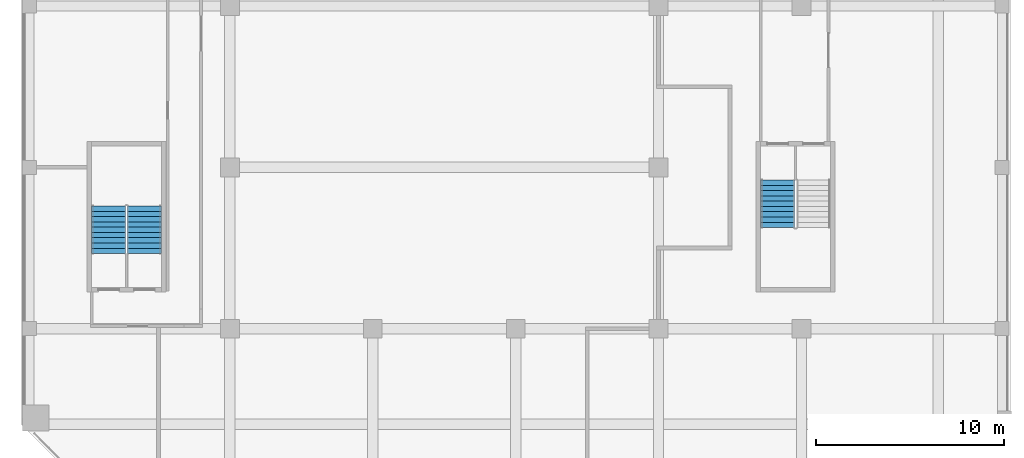
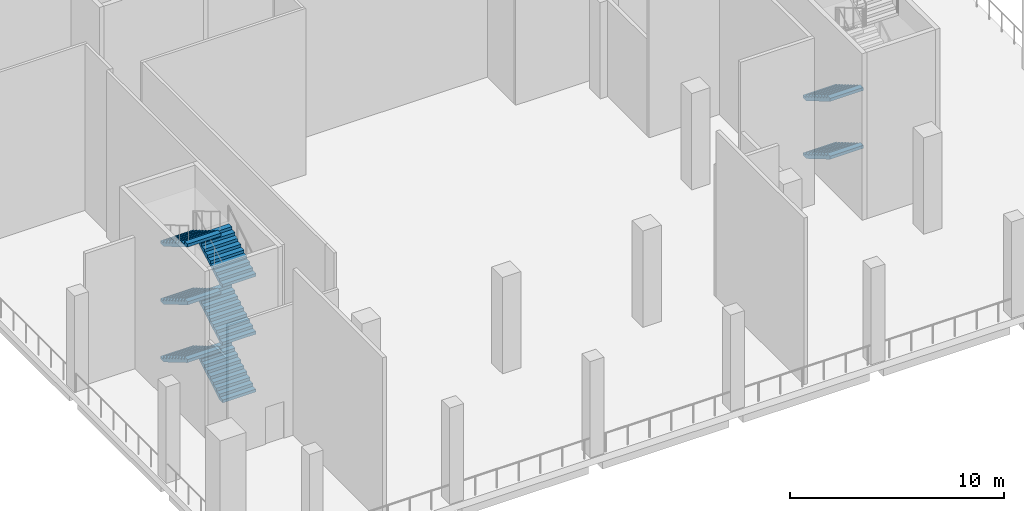
# One storey, part 6 of 12: 8 stair flights, 2 elements without a shape of their own.
"""IFC4 building model written with IfcOpenShell, lengths in metres."""

from ifc_helpers import new_model, si_unit, direction, frame, origin, place, context, subcontext, project, spatial, triangles, source, transform, mapped, material, type_object, element, aggregate, save


model = new_model("IFC4")

# Units and contexts
model_context = context("Model", 3, precision=1e-05, world=origin(), true_north=direction((0.0, 1.0)))
body_context = subcontext(model_context, "Body", "Model", "MODEL_VIEW")
ifc_project = project(units=[si_unit("LENGTHUNIT", "METRE"), si_unit("AREAUNIT", "SQUARE_METRE"), si_unit("VOLUMEUNIT", "CUBIC_METRE"), si_unit("PLANEANGLEUNIT", "RADIAN"), si_unit("MASSUNIT", "GRAM", prefix="KILO")], contexts=[model_context])

# Site, building, storey
site_placement = place(None, origin())
site = spatial("IfcSite", under=ifc_project, at=site_placement, CompositionType="ELEMENT")
building_placement = place(site_placement, origin())
building = spatial("IfcBuilding", under=site, at=building_placement, Name="Kilnfold Tower and Market Hall", CompositionType="ELEMENT")
storey_placement = place(building_placement, frame((0.0, 0.0, 223.699951171875)))
storey = spatial("IfcBuildingStorey", under=building, at=storey_placement, Name="L55 Refuge Wind Floor", CompositionType="ELEMENT", Elevation=223.699951171875)

# Stair, stair flights
ifc_material_1 = material(Name="Concrete C40/50", Category="concrete")
stair_type = type_object("IfcStairType", Name="CORE STAIR 1800", PredefinedType="HALF_TURN_STAIR", material=ifc_material_1)
stair_1_placement = place(storey_placement, origin())
stair_1 = element("IfcStair", 1, at=stair_1_placement, inside=storey, type_object=stair_type, Name="L55 Refuge Wind Floor ST3", PredefinedType="HALF_TURN_STAIR")
ifc_material_2 = material(Name="Concrete C40/50", Category="concrete")
stair_flight_type = type_object("IfcStairFlightType", Name="CORE STAIR FLIGHT 1800", PredefinedType="STRAIGHT", material=ifc_material_2)
shared_shape = source(origin(), body_context, "Body", "Tessellation", [
    triangles([(0.0, 0.89990234375, 0.0), (0.0, 0.78759765625, 0.0), (0.0, 0.675048828125, 0.0), (0.0, 0.5625, 0.0), (0.0, 0.449951171875, 0.0), (0.0, 0.33740234375, 0.0), (0.0, 0.22509765625, 0.0), (0.0, 0.112548828125, 0.0), (0.0, 0.0, 0.0), (0.0, -0.112548828125, 0.0), (0.0, -0.22509765625, 0.0), (0.0, -0.33740234375, 0.0), (0.0, -0.449951171875, 0.0), (0.0, -0.5625, 0.0), (0.0, -0.675048828125, 0.0), (0.0, -0.78759765625, 0.0), (0.0, -0.89990234375, 0.0), (0.0, 0.89990234375, 0.1650390625), (0.0, 0.78759765625, 0.1650390625), (0.0, 0.675048828125, 0.1650390625), (0.0, 0.5625, 0.1650390625), (0.0, 0.449951171875, 0.1650390625), (0.0, 0.33740234375, 0.1650390625), (0.0, 0.22509765625, 0.1650390625), (0.0, 0.112548828125, 0.1650390625), (0.0, 0.0, 0.1650390625), (0.0, -0.112548828125, 0.1650390625), (0.0, -0.22509765625, 0.1650390625), (0.0, -0.33740234375, 0.1650390625), (0.0, -0.449951171875, 0.1650390625), (0.0, -0.5625, 0.1650390625), (0.0, -0.675048828125, 0.1650390625), (0.0, -0.78759765625, 0.1650390625), (0.0, -0.89990234375, 0.1650390625), (0.280029296875, 0.89990234375, 0.1650390625), (0.280029296875, 0.78759765625, 0.1650390625), (0.280029296875, 0.675048828125, 0.1650390625), (0.280029296875, 0.5625, 0.1650390625), (0.280029296875, 0.449951171875, 0.1650390625), (0.280029296875, 0.33740234375, 0.1650390625), (0.280029296875, 0.22509765625, 0.1650390625), (0.280029296875, 0.112548828125, 0.1650390625), (0.280029296875, 0.0, 0.1650390625), (0.280029296875, -0.112548828125, 0.1650390625), (0.280029296875, -0.22509765625, 0.1650390625), (0.280029296875, -0.33740234375, 0.1650390625), (0.280029296875, -0.449951171875, 0.1650390625), (0.280029296875, -0.5625, 0.1650390625), (0.280029296875, -0.675048828125, 0.1650390625), (0.280029296875, -0.78759765625, 0.1650390625), (0.280029296875, -0.89990234375, 0.1650390625), (0.280029296875, 0.89990234375, 0.330078125), (0.280029296875, 0.78759765625, 0.330078125), (0.280029296875, 0.675048828125, 0.330078125), (0.280029296875, 0.5625, 0.330078125), (0.280029296875, 0.449951171875, 0.330078125), (0.280029296875, 0.33740234375, 0.330078125), (0.280029296875, 0.22509765625, 0.330078125), (0.280029296875, 0.112548828125, 0.330078125), (0.280029296875, 0.0, 0.330078125), (0.280029296875, -0.112548828125, 0.330078125), (0.280029296875, -0.22509765625, 0.330078125), (0.280029296875, -0.33740234375, 0.330078125), (0.280029296875, -0.449951171875, 0.330078125), (0.280029296875, -0.5625, 0.330078125), (0.280029296875, -0.675048828125, 0.330078125), (0.280029296875, -0.78759765625, 0.330078125), (0.280029296875, -0.89990234375, 0.330078125), (0.56005859375, 0.89990234375, 0.330078125), (0.56005859375, 0.78759765625, 0.330078125), (0.56005859375, 0.675048828125, 0.330078125), (0.56005859375, 0.5625, 0.330078125), (0.56005859375, 0.449951171875, 0.330078125), (0.56005859375, 0.33740234375, 0.330078125), (0.56005859375, 0.22509765625, 0.330078125), (0.56005859375, 0.112548828125, 0.330078125), (0.56005859375, 0.0, 0.330078125), (0.56005859375, -0.112548828125, 0.330078125), (0.56005859375, -0.22509765625, 0.330078125), (0.56005859375, -0.33740234375, 0.330078125), (0.56005859375, -0.449951171875, 0.330078125), (0.56005859375, -0.5625, 0.330078125), (0.56005859375, -0.675048828125, 0.330078125), (0.56005859375, -0.78759765625, 0.330078125), (0.56005859375, -0.89990234375, 0.330078125), (0.56005859375, 0.89990234375, 0.4951171875), (0.56005859375, 0.78759765625, 0.4951171875), (0.56005859375, 0.675048828125, 0.4951171875), (0.56005859375, 0.5625, 0.4951171875), (0.56005859375, 0.449951171875, 0.4951171875), (0.56005859375, 0.33740234375, 0.4951171875), (0.56005859375, 0.22509765625, 0.4951171875), (0.56005859375, 0.112548828125, 0.4951171875), (0.56005859375, 0.0, 0.4951171875), (0.56005859375, -0.112548828125, 0.4951171875), (0.56005859375, -0.22509765625, 0.4951171875), (0.56005859375, -0.33740234375, 0.4951171875), (0.56005859375, -0.449951171875, 0.4951171875), (0.56005859375, -0.5625, 0.4951171875), (0.56005859375, -0.675048828125, 0.4951171875), (0.56005859375, -0.78759765625, 0.4951171875), (0.56005859375, -0.89990234375, 0.4951171875), (0.840087890625, 0.89990234375, 0.4951171875), (0.840087890625, 0.78759765625, 0.4951171875), (0.840087890625, 0.675048828125, 0.4951171875), (0.840087890625, 0.5625, 0.4951171875), (0.840087890625, 0.449951171875, 0.4951171875), (0.840087890625, 0.33740234375, 0.4951171875), (0.840087890625, 0.22509765625, 0.4951171875), (0.840087890625, 0.112548828125, 0.4951171875), (0.840087890625, 0.0, 0.4951171875), (0.840087890625, -0.112548828125, 0.4951171875), (0.840087890625, -0.22509765625, 0.4951171875), (0.840087890625, -0.33740234375, 0.4951171875), (0.840087890625, -0.449951171875, 0.4951171875), (0.840087890625, -0.5625, 0.4951171875), (0.840087890625, -0.675048828125, 0.4951171875), (0.840087890625, -0.78759765625, 0.4951171875), (0.840087890625, -0.89990234375, 0.4951171875), (0.840087890625, 0.89990234375, 0.659912109375), (0.840087890625, 0.78759765625, 0.659912109375), (0.840087890625, 0.675048828125, 0.659912109375), (0.840087890625, 0.5625, 0.659912109375), (0.840087890625, 0.449951171875, 0.659912109375), (0.840087890625, 0.33740234375, 0.659912109375), (0.840087890625, 0.22509765625, 0.659912109375), (0.840087890625, 0.112548828125, 0.659912109375), (0.840087890625, 0.0, 0.659912109375), (0.840087890625, -0.112548828125, 0.659912109375), (0.840087890625, -0.22509765625, 0.659912109375), (0.840087890625, -0.33740234375, 0.659912109375), (0.840087890625, -0.449951171875, 0.659912109375), (0.840087890625, -0.5625, 0.659912109375), (0.840087890625, -0.675048828125, 0.659912109375), (0.840087890625, -0.78759765625, 0.659912109375), (0.840087890625, -0.89990234375, 0.659912109375), (1.1201171875, 0.89990234375, 0.659912109375), (1.1201171875, 0.78759765625, 0.659912109375), (1.1201171875, 0.675048828125, 0.659912109375), (1.1201171875, 0.5625, 0.659912109375), (1.1201171875, 0.449951171875, 0.659912109375), (1.1201171875, 0.33740234375, 0.659912109375), (1.1201171875, 0.22509765625, 0.659912109375), (1.1201171875, 0.112548828125, 0.659912109375), (1.1201171875, 0.0, 0.659912109375), (1.1201171875, -0.112548828125, 0.659912109375), (1.1201171875, -0.22509765625, 0.659912109375), (1.1201171875, -0.33740234375, 0.659912109375), (1.1201171875, -0.449951171875, 0.659912109375), (1.1201171875, -0.5625, 0.659912109375), (1.1201171875, -0.675048828125, 0.659912109375), (1.1201171875, -0.78759765625, 0.659912109375), (1.1201171875, -0.89990234375, 0.659912109375), (1.1201171875, 0.89990234375, 0.824951171875), (1.1201171875, 0.78759765625, 0.824951171875), (1.1201171875, 0.675048828125, 0.824951171875), (1.1201171875, 0.5625, 0.824951171875), (1.1201171875, 0.449951171875, 0.824951171875), (1.1201171875, 0.33740234375, 0.824951171875), (1.1201171875, 0.22509765625, 0.824951171875), (1.1201171875, 0.112548828125, 0.824951171875), (1.1201171875, 0.0, 0.824951171875), (1.1201171875, -0.112548828125, 0.824951171875), (1.1201171875, -0.22509765625, 0.824951171875), (1.1201171875, -0.33740234375, 0.824951171875), (1.1201171875, -0.449951171875, 0.824951171875), (1.1201171875, -0.5625, 0.824951171875), (1.1201171875, -0.675048828125, 0.824951171875), (1.1201171875, -0.78759765625, 0.824951171875), (1.1201171875, -0.89990234375, 0.824951171875), (1.39990234375, 0.89990234375, 0.824951171875), (1.39990234375, 0.78759765625, 0.824951171875), (1.39990234375, 0.675048828125, 0.824951171875), (1.39990234375, 0.5625, 0.824951171875), (1.39990234375, 0.449951171875, 0.824951171875), (1.39990234375, 0.33740234375, 0.824951171875), (1.39990234375, 0.22509765625, 0.824951171875), (1.39990234375, 0.112548828125, 0.824951171875), (1.39990234375, 0.0, 0.824951171875), (1.39990234375, -0.112548828125, 0.824951171875), (1.39990234375, -0.22509765625, 0.824951171875), (1.39990234375, -0.33740234375, 0.824951171875), (1.39990234375, -0.449951171875, 0.824951171875), (1.39990234375, -0.5625, 0.824951171875), (1.39990234375, -0.675048828125, 0.824951171875), (1.39990234375, -0.78759765625, 0.824951171875), (1.39990234375, -0.89990234375, 0.824951171875), (1.39990234375, 0.89990234375, 0.989990234375), (1.39990234375, 0.78759765625, 0.989990234375), (1.39990234375, 0.675048828125, 0.989990234375), (1.39990234375, 0.5625, 0.989990234375), (1.39990234375, 0.449951171875, 0.989990234375), (1.39990234375, 0.33740234375, 0.989990234375), (1.39990234375, 0.22509765625, 0.989990234375), (1.39990234375, 0.112548828125, 0.989990234375), (1.39990234375, 0.0, 0.989990234375), (1.39990234375, -0.112548828125, 0.989990234375), (1.39990234375, -0.22509765625, 0.989990234375), (1.39990234375, -0.33740234375, 0.989990234375), (1.39990234375, -0.449951171875, 0.989990234375), (1.39990234375, -0.5625, 0.989990234375), (1.39990234375, -0.675048828125, 0.989990234375), (1.39990234375, -0.78759765625, 0.989990234375), (1.39990234375, -0.89990234375, 0.989990234375), (1.679931640625, 0.89990234375, 0.989990234375), (1.679931640625, 0.78759765625, 0.989990234375), (1.679931640625, 0.675048828125, 0.989990234375), (1.679931640625, 0.5625, 0.989990234375), (1.679931640625, 0.449951171875, 0.989990234375), (1.679931640625, 0.33740234375, 0.989990234375), (1.679931640625, 0.22509765625, 0.989990234375), (1.679931640625, 0.112548828125, 0.989990234375), (1.679931640625, 0.0, 0.989990234375), (1.679931640625, -0.112548828125, 0.989990234375), (1.679931640625, -0.22509765625, 0.989990234375), (1.679931640625, -0.33740234375, 0.989990234375), (1.679931640625, -0.449951171875, 0.989990234375), (1.679931640625, -0.5625, 0.989990234375), (1.679931640625, -0.675048828125, 0.989990234375), (1.679931640625, -0.78759765625, 0.989990234375), (1.679931640625, -0.89990234375, 0.989990234375), (1.679931640625, 0.89990234375, 1.155029296875), (1.679931640625, 0.78759765625, 1.155029296875), (1.679931640625, 0.675048828125, 1.155029296875), (1.679931640625, 0.5625, 1.155029296875), (1.679931640625, 0.449951171875, 1.155029296875), (1.679931640625, 0.33740234375, 1.155029296875), (1.679931640625, 0.22509765625, 1.155029296875), (1.679931640625, 0.112548828125, 1.155029296875), (1.679931640625, 0.0, 1.155029296875), (1.679931640625, -0.112548828125, 1.155029296875), (1.679931640625, -0.22509765625, 1.155029296875), (1.679931640625, -0.33740234375, 1.155029296875), (1.679931640625, -0.449951171875, 1.155029296875), (1.679931640625, -0.5625, 1.155029296875), (1.679931640625, -0.675048828125, 1.155029296875), (1.679931640625, -0.78759765625, 1.155029296875), (1.679931640625, -0.89990234375, 1.155029296875), (1.9599609375, 0.89990234375, 1.155029296875), (1.9599609375, 0.78759765625, 1.155029296875), (1.9599609375, 0.675048828125, 1.155029296875), (1.9599609375, 0.5625, 1.155029296875), (1.9599609375, 0.449951171875, 1.155029296875), (1.9599609375, 0.33740234375, 1.155029296875), (1.9599609375, 0.22509765625, 1.155029296875), (1.9599609375, 0.112548828125, 1.155029296875), (1.9599609375, 0.0, 1.155029296875), (1.9599609375, -0.112548828125, 1.155029296875), (1.9599609375, -0.22509765625, 1.155029296875), (1.9599609375, -0.33740234375, 1.155029296875), (1.9599609375, -0.449951171875, 1.155029296875), (1.9599609375, -0.5625, 1.155029296875), (1.9599609375, -0.675048828125, 1.155029296875), (1.9599609375, -0.78759765625, 1.155029296875), (1.9599609375, -0.89990234375, 1.155029296875), (1.9599609375, 0.89990234375, 1.320068359375), (1.9599609375, 0.78759765625, 1.320068359375), (1.9599609375, 0.675048828125, 1.320068359375), (1.9599609375, 0.5625, 1.320068359375), (1.9599609375, 0.449951171875, 1.320068359375), (1.9599609375, 0.33740234375, 1.320068359375), (1.9599609375, 0.22509765625, 1.320068359375), (1.9599609375, 0.112548828125, 1.320068359375), (1.9599609375, 0.0, 1.320068359375), (1.9599609375, -0.112548828125, 1.320068359375), (1.9599609375, -0.22509765625, 1.320068359375), (1.9599609375, -0.33740234375, 1.320068359375), (1.9599609375, -0.449951171875, 1.320068359375), (1.9599609375, -0.5625, 1.320068359375), (1.9599609375, -0.675048828125, 1.320068359375), (1.9599609375, -0.78759765625, 1.320068359375), (1.9599609375, -0.89990234375, 1.320068359375), (2.239990234375, 0.89990234375, 1.320068359375), (2.239990234375, 0.78759765625, 1.320068359375), (2.239990234375, 0.675048828125, 1.320068359375), (2.239990234375, 0.5625, 1.320068359375), (2.239990234375, 0.449951171875, 1.320068359375), (2.239990234375, 0.33740234375, 1.320068359375), (2.239990234375, 0.22509765625, 1.320068359375), (2.239990234375, 0.112548828125, 1.320068359375), (2.239990234375, 0.0, 1.320068359375), (2.239990234375, -0.112548828125, 1.320068359375), (2.239990234375, -0.22509765625, 1.320068359375), (2.239990234375, -0.33740234375, 1.320068359375), (2.239990234375, -0.449951171875, 1.320068359375), (2.239990234375, -0.5625, 1.320068359375), (2.239990234375, -0.675048828125, 1.320068359375), (2.239990234375, -0.78759765625, 1.320068359375), (2.239990234375, -0.89990234375, 1.320068359375), (2.239990234375, 0.89990234375, 1.485107421875), (2.239990234375, 0.78759765625, 1.485107421875), (2.239990234375, 0.675048828125, 1.485107421875), (2.239990234375, 0.5625, 1.485107421875), (2.239990234375, 0.449951171875, 1.485107421875), (2.239990234375, 0.33740234375, 1.485107421875), (2.239990234375, 0.22509765625, 1.485107421875), (2.239990234375, 0.112548828125, 1.485107421875), (2.239990234375, 0.0, 1.485107421875), (2.239990234375, -0.112548828125, 1.485107421875), (2.239990234375, -0.22509765625, 1.485107421875), (2.239990234375, -0.33740234375, 1.485107421875), (2.239990234375, -0.449951171875, 1.485107421875), (2.239990234375, -0.5625, 1.485107421875), (2.239990234375, -0.675048828125, 1.485107421875), (2.239990234375, -0.78759765625, 1.485107421875), (2.239990234375, -0.89990234375, 1.485107421875), (2.52001953125, 0.89990234375, 1.485107421875), (2.52001953125, 0.78759765625, 1.485107421875), (2.52001953125, 0.675048828125, 1.485107421875), (2.52001953125, 0.5625, 1.485107421875), (2.52001953125, 0.449951171875, 1.485107421875), (2.52001953125, 0.33740234375, 1.485107421875), (2.52001953125, 0.22509765625, 1.485107421875), (2.52001953125, 0.112548828125, 1.485107421875), (2.52001953125, 0.0, 1.485107421875), (2.52001953125, -0.112548828125, 1.485107421875), (2.52001953125, -0.22509765625, 1.485107421875), (2.52001953125, -0.33740234375, 1.485107421875), (2.52001953125, -0.449951171875, 1.485107421875), (2.52001953125, -0.5625, 1.485107421875), (2.52001953125, -0.675048828125, 1.485107421875), (2.52001953125, -0.78759765625, 1.485107421875), (2.52001953125, -0.89990234375, 1.485107421875), (2.52001953125, 0.89990234375, 1.31103515625), (2.52001953125, 0.78759765625, 1.31103515625), (2.52001953125, 0.675048828125, 1.31103515625), (2.52001953125, 0.5625, 1.31103515625), (2.52001953125, 0.449951171875, 1.31103515625), (2.52001953125, 0.33740234375, 1.31103515625), (2.52001953125, 0.22509765625, 1.31103515625), (2.52001953125, 0.112548828125, 1.31103515625), (2.52001953125, 0.0, 1.31103515625), (2.52001953125, -0.112548828125, 1.31103515625), (2.52001953125, -0.22509765625, 1.31103515625), (2.52001953125, -0.33740234375, 1.31103515625), (2.52001953125, -0.449951171875, 1.31103515625), (2.52001953125, -0.5625, 1.31103515625), (2.52001953125, -0.675048828125, 1.31103515625), (2.52001953125, -0.78759765625, 1.31103515625), (2.52001953125, -0.89990234375, 1.31103515625), (0.295166015625, 0.89990234375, 0.0), (0.295166015625, 0.78759765625, 0.0), (0.295166015625, 0.675048828125, 0.0), (0.295166015625, 0.5625, 0.0), (0.295166015625, 0.449951171875, 0.0), (0.295166015625, 0.33740234375, 0.0), (0.295166015625, 0.22509765625, 0.0), (0.295166015625, 0.112548828125, 0.0), (0.295166015625, 0.0, 0.0), (0.295166015625, -0.112548828125, 0.0), (0.295166015625, -0.22509765625, 0.0), (0.295166015625, -0.33740234375, 0.0), (0.295166015625, -0.449951171875, 0.0), (0.295166015625, -0.5625, 0.0), (0.295166015625, -0.675048828125, 0.0), (0.295166015625, -0.78759765625, 0.0), (0.295166015625, -0.89990234375, 0.0)], [[1, 324, 341], [17, 357, 340], [324, 290, 307], [340, 323, 306], [324, 273, 290], [340, 306, 289], [324, 256, 273], [340, 289, 272], [324, 239, 256], [340, 272, 255], [239, 205, 222], [255, 238, 221], [324, 205, 239], [340, 255, 221], [205, 171, 188], [221, 204, 187], [324, 171, 205], [340, 221, 187], [171, 137, 154], [187, 170, 153], [324, 137, 171], [340, 187, 153], [1, 137, 324], [17, 340, 153], [137, 103, 120], [153, 136, 119], [103, 69, 86], [119, 102, 85], [137, 69, 103], [153, 119, 85], [69, 35, 52], [85, 68, 51], [137, 35, 69], [153, 85, 51], [1, 35, 137], [17, 153, 51], [35, 1, 18], [51, 34, 17], [1, 19, 18], [1, 2, 19], [2, 20, 19], [2, 3, 20], [3, 21, 20], [3, 4, 21], [4, 22, 21], [4, 5, 22], [5, 23, 22], [5, 6, 23], [6, 24, 23], [6, 7, 24], [7, 25, 24], [7, 8, 25], [8, 26, 25], [8, 9, 26], [9, 27, 26], [9, 10, 27], [10, 28, 27], [10, 11, 28], [11, 29, 28], [11, 12, 29], [12, 30, 29], [12, 13, 30], [13, 31, 30], [13, 14, 31], [14, 32, 31], [14, 15, 32], [15, 33, 32], [15, 16, 33], [16, 34, 33], [16, 17, 34], [18, 36, 35], [18, 19, 36], [19, 37, 36], [19, 20, 37], [20, 38, 37], [20, 21, 38], [21, 39, 38], [21, 22, 39], [22, 40, 39], [22, 23, 40], [23, 41, 40], [23, 24, 41], [24, 42, 41], [24, 25, 42], [25, 43, 42], [25, 26, 43], [26, 44, 43], [26, 27, 44], [27, 45, 44], [27, 28, 45], [28, 46, 45], [28, 29, 46], [29, 47, 46], [29, 30, 47], [30, 48, 47], [30, 31, 48], [31, 49, 48], [31, 32, 49], [32, 50, 49], [32, 33, 50], [33, 51, 50], [33, 34, 51], [35, 53, 52], [35, 36, 53], [36, 54, 53], [36, 37, 54], [37, 55, 54], [37, 38, 55], [38, 56, 55], [38, 39, 56], [39, 57, 56], [39, 40, 57], [40, 58, 57], [40, 41, 58], [41, 59, 58], [41, 42, 59], [42, 60, 59], [42, 43, 60], [43, 61, 60], [43, 44, 61], [44, 62, 61], [44, 45, 62], [45, 63, 62], [45, 46, 63], [46, 64, 63], [46, 47, 64], [47, 65, 64], [47, 48, 65], [48, 66, 65], [48, 49, 66], [49, 67, 66], [49, 50, 67], [50, 68, 67], [50, 51, 68], [52, 70, 69], [52, 53, 70], [53, 71, 70], [53, 54, 71], [54, 72, 71], [54, 55, 72], [55, 73, 72], [55, 56, 73], [56, 74, 73], [56, 57, 74], [57, 75, 74], [57, 58, 75], [58, 76, 75], [58, 59, 76], [59, 77, 76], [59, 60, 77], [60, 78, 77], [60, 61, 78], [61, 79, 78], [61, 62, 79], [62, 80, 79], [62, 63, 80], [63, 81, 80], [63, 64, 81], [64, 82, 81], [64, 65, 82], [65, 83, 82], [65, 66, 83], [66, 84, 83], [66, 67, 84], [67, 85, 84], [67, 68, 85], [69, 87, 86], [69, 70, 87], [70, 88, 87], [70, 71, 88], [71, 89, 88], [71, 72, 89], [72, 90, 89], [72, 73, 90], [73, 91, 90], [73, 74, 91], [74, 92, 91], [74, 75, 92], [75, 93, 92], [75, 76, 93], [76, 94, 93], [76, 77, 94], [77, 95, 94], [77, 78, 95], [78, 96, 95], [78, 79, 96], [79, 97, 96], [79, 80, 97], [80, 98, 97], [80, 81, 98], [81, 99, 98], [81, 82, 99], [82, 100, 99], [82, 83, 100], [83, 101, 100], [83, 84, 101], [84, 102, 101], [84, 85, 102], [86, 104, 103], [86, 87, 104], [87, 105, 104], [87, 88, 105], [88, 106, 105], [88, 89, 106], [89, 107, 106], [89, 90, 107], [90, 108, 107], [90, 91, 108], [91, 109, 108], [91, 92, 109], [92, 110, 109], [92, 93, 110], [93, 111, 110], [93, 94, 111], [94, 112, 111], [94, 95, 112], [95, 113, 112], [95, 96, 113], [96, 114, 113], [96, 97, 114], [97, 115, 114], [97, 98, 115], [98, 116, 115], [98, 99, 116], [99, 117, 116], [99, 100, 117], [100, 118, 117], [100, 101, 118], [101, 119, 118], [101, 102, 119], [103, 121, 120], [103, 104, 121], [104, 122, 121], [104, 105, 122], [105, 123, 122], [105, 106, 123], [106, 124, 123], [106, 107, 124], [107, 125, 124], [107, 108, 125], [108, 126, 125], [108, 109, 126], [109, 127, 126], [109, 110, 127], [110, 128, 127], [110, 111, 128], [111, 129, 128], [111, 112, 129], [112, 130, 129], [112, 113, 130], [113, 131, 130], [113, 114, 131], [114, 132, 131], [114, 115, 132], [115, 133, 132], [115, 116, 133], [116, 134, 133], [116, 117, 134], [117, 135, 134], [117, 118, 135], [118, 136, 135], [118, 119, 136], [120, 138, 137], [120, 121, 138], [121, 139, 138], [121, 122, 139], [122, 140, 139], [122, 123, 140], [123, 141, 140], [123, 124, 141], [124, 142, 141], [124, 125, 142], [125, 143, 142], [125, 126, 143], [126, 144, 143], [126, 127, 144], [127, 145, 144], [127, 128, 145], [128, 146, 145], [128, 129, 146], [129, 147, 146], [129, 130, 147], [130, 148, 147], [130, 131, 148], [131, 149, 148], [131, 132, 149], [132, 150, 149], [132, 133, 150], [133, 151, 150], [133, 134, 151], [134, 152, 151], [134, 135, 152], [135, 153, 152], [135, 136, 153], [137, 155, 154], [137, 138, 155], [138, 156, 155], [138, 139, 156], [139, 157, 156], [139, 140, 157], [140, 158, 157], [140, 141, 158], [141, 159, 158], [141, 142, 159], [142, 160, 159], [142, 143, 160], [143, 161, 160], [143, 144, 161], [144, 162, 161], [144, 145, 162], [145, 163, 162], [145, 146, 163], [146, 164, 163], [146, 147, 164], [147, 165, 164], [147, 148, 165], [148, 166, 165], [148, 149, 166], [149, 167, 166], [149, 150, 167], [150, 168, 167], [150, 151, 168], [151, 169, 168], [151, 152, 169], [152, 170, 169], [152, 153, 170], [154, 172, 171], [154, 155, 172], [155, 173, 172], [155, 156, 173], [156, 174, 173], [156, 157, 174], [157, 175, 174], [157, 158, 175], [158, 176, 175], [158, 159, 176], [159, 177, 176], [159, 160, 177], [160, 178, 177], [160, 161, 178], [161, 179, 178], [161, 162, 179], [162, 180, 179], [162, 163, 180], [163, 181, 180], [163, 164, 181], [164, 182, 181], [164, 165, 182], [165, 183, 182], [165, 166, 183], [166, 184, 183], [166, 167, 184], [167, 185, 184], [167, 168, 185], [168, 186, 185], [168, 169, 186], [169, 187, 186], [169, 170, 187], [171, 189, 188], [171, 172, 189], [172, 190, 189], [172, 173, 190], [173, 191, 190], [173, 174, 191], [174, 192, 191], [174, 175, 192], [175, 193, 192], [175, 176, 193], [176, 194, 193], [176, 177, 194], [177, 195, 194], [177, 178, 195], [178, 196, 195], [178, 179, 196], [179, 197, 196], [179, 180, 197], [180, 198, 197], [180, 181, 198], [181, 199, 198], [181, 182, 199], [182, 200, 199], [182, 183, 200], [183, 201, 200], [183, 184, 201], [184, 202, 201], [184, 185, 202], [185, 203, 202], [185, 186, 203], [186, 204, 203], [186, 187, 204], [188, 206, 205], [188, 189, 206], [189, 207, 206], [189, 190, 207], [190, 208, 207], [190, 191, 208], [191, 209, 208], [191, 192, 209], [192, 210, 209], [192, 193, 210], [193, 211, 210], [193, 194, 211], [194, 212, 211], [194, 195, 212], [195, 213, 212], [195, 196, 213], [196, 214, 213], [196, 197, 214], [197, 215, 214], [197, 198, 215], [198, 216, 215], [198, 199, 216], [199, 217, 216], [199, 200, 217], [200, 218, 217], [200, 201, 218], [201, 219, 218], [201, 202, 219], [202, 220, 219], [202, 203, 220], [203, 221, 220], [203, 204, 221], [205, 223, 222], [205, 206, 223], [206, 224, 223], [206, 207, 224], [207, 225, 224], [207, 208, 225], [208, 226, 225], [208, 209, 226], [209, 227, 226], [209, 210, 227], [210, 228, 227], [210, 211, 228], [211, 229, 228], [211, 212, 229], [212, 230, 229], [212, 213, 230], [213, 231, 230], [213, 214, 231], [214, 232, 231], [214, 215, 232], [215, 233, 232], [215, 216, 233], [216, 234, 233], [216, 217, 234], [217, 235, 234], [217, 218, 235], [218, 236, 235], [218, 219, 236], [219, 237, 236], [219, 220, 237], [220, 238, 237], [220, 221, 238], [222, 240, 239], [222, 223, 240], [223, 241, 240], [223, 224, 241], [224, 242, 241], [224, 225, 242], [225, 243, 242], [225, 226, 243], [226, 244, 243], [226, 227, 244], [227, 245, 244], [227, 228, 245], [228, 246, 245], [228, 229, 246], [229, 247, 246], [229, 230, 247], [230, 248, 247], [230, 231, 248], [231, 249, 248], [231, 232, 249], [232, 250, 249], [232, 233, 250], [233, 251, 250], [233, 234, 251], [234, 252, 251], [234, 235, 252], [235, 253, 252], [235, 236, 253], [236, 254, 253], [236, 237, 254], [237, 255, 254], [237, 238, 255], [239, 257, 256], [239, 240, 257], [240, 258, 257], [240, 241, 258], [241, 259, 258], [241, 242, 259], [242, 260, 259], [242, 243, 260], [243, 261, 260], [243, 244, 261], [244, 262, 261], [244, 245, 262], [245, 263, 262], [245, 246, 263], [246, 264, 263], [246, 247, 264], [247, 265, 264], [247, 248, 265], [248, 266, 265], [248, 249, 266], [249, 267, 266], [249, 250, 267], [250, 268, 267], [250, 251, 268], [251, 269, 268], [251, 252, 269], [252, 270, 269], [252, 253, 270], [253, 271, 270], [253, 254, 271], [254, 272, 271], [254, 255, 272], [256, 274, 273], [256, 257, 274], [257, 275, 274], [257, 258, 275], [258, 276, 275], [258, 259, 276], [259, 277, 276], [259, 260, 277], [260, 278, 277], [260, 261, 278], [261, 279, 278], [261, 262, 279], [262, 280, 279], [262, 263, 280], [263, 281, 280], [263, 264, 281], [264, 282, 281], [264, 265, 282], [265, 283, 282], [265, 266, 283], [266, 284, 283], [266, 267, 284], [267, 285, 284], [267, 268, 285], [268, 286, 285], [268, 269, 286], [269, 287, 286], [269, 270, 287], [270, 288, 287], [270, 271, 288], [271, 289, 288], [271, 272, 289], [273, 291, 290], [273, 274, 291], [274, 292, 291], [274, 275, 292], [275, 293, 292], [275, 276, 293], [276, 294, 293], [276, 277, 294], [277, 295, 294], [277, 278, 295], [278, 296, 295], [278, 279, 296], [279, 297, 296], [279, 280, 297], [280, 298, 297], [280, 281, 298], [281, 299, 298], [281, 282, 299], [282, 300, 299], [282, 283, 300], [283, 301, 300], [283, 284, 301], [284, 302, 301], [284, 285, 302], [285, 303, 302], [285, 286, 303], [286, 304, 303], [286, 287, 304], [287, 305, 304], [287, 288, 305], [288, 306, 305], [288, 289, 306], [290, 308, 307], [290, 291, 308], [291, 309, 308], [291, 292, 309], [292, 310, 309], [292, 293, 310], [293, 311, 310], [293, 294, 311], [294, 312, 311], [294, 295, 312], [295, 313, 312], [295, 296, 313], [296, 314, 313], [296, 297, 314], [297, 315, 314], [297, 298, 315], [298, 316, 315], [298, 299, 316], [299, 317, 316], [299, 300, 317], [300, 318, 317], [300, 301, 318], [301, 319, 318], [301, 302, 319], [302, 320, 319], [302, 303, 320], [303, 321, 320], [303, 304, 321], [304, 322, 321], [304, 305, 322], [305, 323, 322], [305, 306, 323], [307, 325, 324], [307, 308, 325], [308, 326, 325], [308, 309, 326], [309, 327, 326], [309, 310, 327], [310, 328, 327], [310, 311, 328], [311, 329, 328], [311, 312, 329], [312, 330, 329], [312, 313, 330], [313, 331, 330], [313, 314, 331], [314, 332, 331], [314, 315, 332], [315, 333, 332], [315, 316, 333], [316, 334, 333], [316, 317, 334], [317, 335, 334], [317, 318, 335], [318, 336, 335], [318, 319, 336], [319, 337, 336], [319, 320, 337], [320, 338, 337], [320, 321, 338], [321, 339, 338], [321, 322, 339], [322, 340, 339], [322, 323, 340], [324, 342, 341], [324, 325, 342], [325, 343, 342], [325, 326, 343], [326, 344, 343], [326, 327, 344], [327, 345, 344], [327, 328, 345], [328, 346, 345], [328, 329, 346], [329, 347, 346], [329, 330, 347], [330, 348, 347], [330, 331, 348], [331, 349, 348], [331, 332, 349], [332, 350, 349], [332, 333, 350], [333, 351, 350], [333, 334, 351], [334, 352, 351], [334, 335, 352], [335, 353, 352], [335, 336, 353], [336, 354, 353], [336, 337, 354], [337, 355, 354], [337, 338, 355], [338, 356, 355], [338, 339, 356], [339, 357, 356], [339, 340, 357], [341, 2, 1], [341, 342, 2], [342, 3, 2], [342, 343, 3], [343, 4, 3], [343, 344, 4], [344, 5, 4], [344, 345, 5], [345, 6, 5], [345, 346, 6], [346, 7, 6], [346, 347, 7], [347, 8, 7], [347, 348, 8], [348, 9, 8], [348, 349, 9], [349, 10, 9], [349, 350, 10], [350, 11, 10], [350, 351, 11], [351, 12, 11], [351, 352, 12], [352, 13, 12], [352, 353, 13], [353, 14, 13], [353, 354, 14], [354, 15, 14], [354, 355, 15], [355, 16, 15], [355, 356, 16], [356, 17, 16], [356, 357, 17]], closed=True),
])
stair_flight_1_placement = place(storey_placement, frame((-14.699951171875, -13.699951171875, 0.0), z_axis=(0.0, 0.0, 1.0), x_axis=(0.0, 1.0, 0.0)))
stair_flight_1 = element("IfcStairFlight", 2, at=stair_flight_1_placement, type_object=stair_flight_type, Name="ST3 flight 1", NumberOfRisers=10, NumberOfTreads=9, PredefinedType="STRAIGHT", RiserHeight=0.165, TreadLength=0.28, context=body_context, shape_type="MappedRepresentation", body=[
    mapped(shared_shape, transform((0.0, 0.0, 0.0))),
])
stair_flight_2_placement = place(storey_placement, frame((-16.60009765625, -11.179931640625, 1.650146484375), z_axis=(0.0, 0.0, 1.0), x_axis=(0.0, -1.0, 0.0)))
stair_flight_2 = element("IfcStairFlight", 3, at=stair_flight_2_placement, type_object=stair_flight_type, Name="ST3 flight 2", NumberOfRisers=10, NumberOfTreads=9, PredefinedType="STRAIGHT", RiserHeight=0.165, TreadLength=0.28, context=body_context, shape_type="MappedRepresentation", body=[
    mapped(shared_shape, transform((0.0, 0.0, 0.0))),
])
stair_flight_3_placement = place(storey_placement, frame((-14.699951171875, -13.699951171875, 3.300048828125), z_axis=(0.0, 0.0, 1.0), x_axis=(0.0, 1.0, 0.0)))
stair_flight_3 = element("IfcStairFlight", 4, at=stair_flight_3_placement, type_object=stair_flight_type, Name="ST3 flight 3", NumberOfRisers=10, NumberOfTreads=9, PredefinedType="STRAIGHT", RiserHeight=0.165, TreadLength=0.28, context=body_context, shape_type="MappedRepresentation", body=[
    mapped(shared_shape, transform((0.0, 0.0, 0.0))),
])
stair_flight_4_placement = place(storey_placement, frame((-16.60009765625, -11.179931640625, 4.949951171875), z_axis=(0.0, 0.0, 1.0), x_axis=(0.0, -1.0, 0.0)))
stair_flight_4 = element("IfcStairFlight", 5, at=stair_flight_4_placement, type_object=stair_flight_type, Name="ST3 flight 4", NumberOfRisers=10, NumberOfTreads=9, PredefinedType="STRAIGHT", RiserHeight=0.165, TreadLength=0.28, context=body_context, shape_type="MappedRepresentation", body=[
    mapped(shared_shape, transform((0.0, 0.0, 0.0))),
])
stair_flight_5_placement = place(storey_placement, frame((-14.699951171875, -13.699951171875, 6.60009765625), z_axis=(0.0, 0.0, 1.0), x_axis=(0.0, 1.0, 0.0)))
stair_flight_5 = element("IfcStairFlight", 6, at=stair_flight_5_placement, type_object=stair_flight_type, Name="ST3 flight 5", NumberOfRisers=10, NumberOfTreads=9, PredefinedType="STRAIGHT", RiserHeight=0.165, TreadLength=0.28, context=body_context, shape_type="MappedRepresentation", body=[
    mapped(shared_shape, transform((0.0, 0.0, 0.0))),
])
stair_flight_6_placement = place(storey_placement, frame((-16.60009765625, -11.179931640625, 8.25), z_axis=(0.0, 0.0, 1.0), x_axis=(0.0, -1.0, 0.0)))
stair_flight_6 = element("IfcStairFlight", 7, at=stair_flight_6_placement, type_object=stair_flight_type, Name="ST3 flight 6", NumberOfRisers=10, NumberOfTreads=9, PredefinedType="STRAIGHT", RiserHeight=0.165, TreadLength=0.28, context=body_context, shape_type="MappedRepresentation", body=[
    mapped(shared_shape, transform((0.0, 0.0, 0.0))),
])
aggregate(stair_1, [stair_flight_1, stair_flight_2, stair_flight_3, stair_flight_4, stair_flight_5, stair_flight_6])

stair_2_placement = place(storey_placement, origin())
stair_2 = element("IfcStair", 8, at=stair_2_placement, inside=storey, type_object=stair_type, Name="L55 Refuge Wind Floor ST4", PredefinedType="HALF_TURN_STAIR")
stair_flight_7_placement = place(storey_placement, frame((18.89990234375, -9.800048828125, 0.0), z_axis=(0.0, 0.0, 1.0), x_axis=(0.0, -1.0, 0.0)))
stair_flight_7 = element("IfcStairFlight", 9, at=stair_flight_7_placement, type_object=stair_flight_type, Name="ST4 flight 1", NumberOfRisers=10, NumberOfTreads=9, PredefinedType="STRAIGHT", RiserHeight=0.165, TreadLength=0.28, context=body_context, shape_type="MappedRepresentation", body=[
    mapped(shared_shape, transform((0.0, 0.0, 0.0))),
])
stair_flight_8_placement = place(storey_placement, frame((18.89990234375, -9.800048828125, 3.300048828125), z_axis=(0.0, 0.0, 1.0), x_axis=(0.0, -1.0, 0.0)))
stair_flight_8 = element("IfcStairFlight", 10, at=stair_flight_8_placement, type_object=stair_flight_type, Name="ST4 flight 3", NumberOfRisers=10, NumberOfTreads=9, PredefinedType="STRAIGHT", RiserHeight=0.165, TreadLength=0.28, context=body_context, shape_type="MappedRepresentation", body=[
    mapped(shared_shape, transform((0.0, 0.0, 0.0))),
])
aggregate(stair_2, [stair_flight_7, stair_flight_8])

save(model, "model.ifc")
